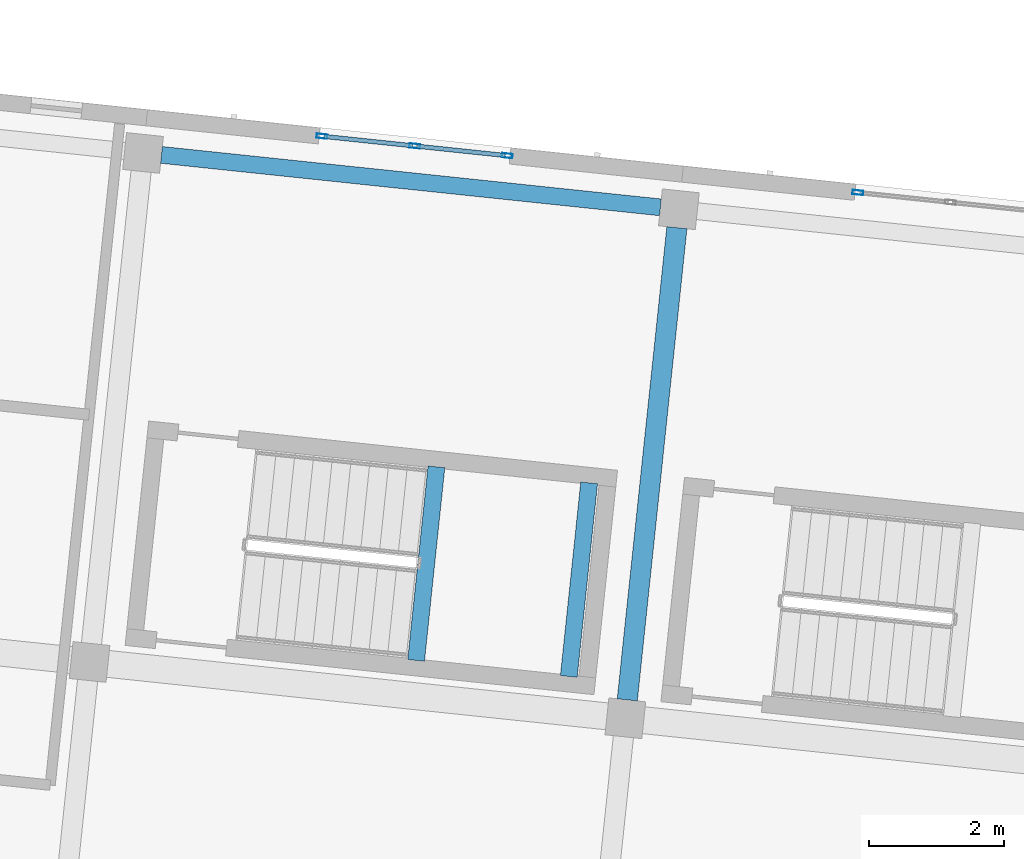
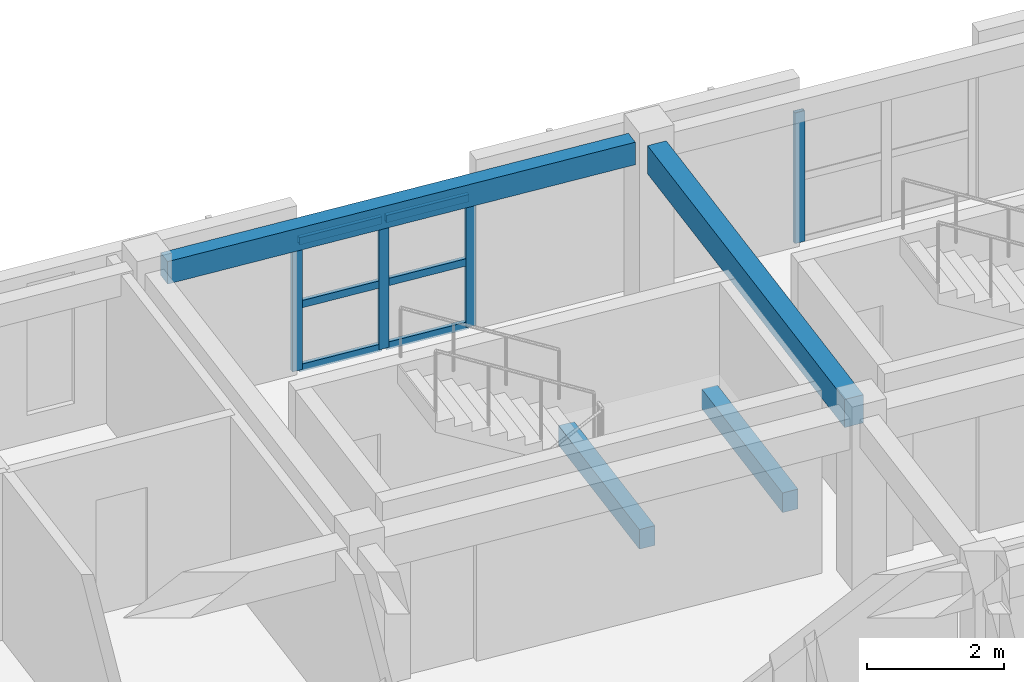
# One storey, part 12 of 65: 10 members, 4 beams, 2 elements without a shape of their own.
"""IFC4 building model written with IfcOpenShell, lengths in metres."""

import ifcopenshell
import ifcopenshell.guid

model = None  # the IFC model being written
_history = None  # IfcOwnerHistory: only IFC2X3 demands one
_inside = {}  # id of a spatial element -> (the spatial element, [elements in it])
_under = {}  # id of a project, library or spatial element -> (it, [spatial elements below it])
_declared = {}  # id of a project -> (the project, [libraries it declares])
_typed = {}  # id of a type object -> (the type object, [elements of that type])
_made_of = {}  # id of a material, layer set ... -> (it, [elements and type objects made of it])


def new_model(schema):
    """Start an empty IFC model of exactly this schema.

    Asked for "IFC4X3", IfcOpenShell would pick the latest addendum, in which some entities
    have other attributes; the version numbers below select the first issue.
    IFC2X3 requires an IfcOwnerHistory on every rooted entity: one is made here for all.
    """
    global model, _history
    if schema == "IFC4X3":
        model = ifcopenshell.file(schema_version=(4, 3, 0, 0))
    else:
        model = ifcopenshell.file(schema=schema)
    _inside.clear()
    _under.clear()
    _declared.clear()
    _typed.clear()
    _made_of.clear()
    _history = None
    if model.schema == "IFC2X3":
        org = make("IfcOrganization", Name="unknown")
        user = make(
            "IfcPersonAndOrganization",
            ThePerson=make("IfcPerson", FamilyName="unknown"),
            TheOrganization=org,
        )
        app = make(
            "IfcApplication",
            ApplicationDeveloper=org,
            Version="unknown",
            ApplicationFullName="unknown",
            ApplicationIdentifier="unknown",
        )
        _history = make(
            "IfcOwnerHistory",
            OwningUser=user,
            OwningApplication=app,
            ChangeAction="ADDED",
            CreationDate=0,
        )
    return model


def make(cls, **values):
    """One entity of the class cls with the attributes given. An attribute that is None is left unset."""
    return model.create_entity(
        cls, **{name: value for name, value in values.items() if value is not None}
    )


def rooted(cls, **values):
    """An entity with a GlobalId (a new one), such as an element, a storey or a relation."""
    return make(cls, GlobalId=ifcopenshell.guid.new(), OwnerHistory=_history, **values)


def si_unit(unit_type, name, prefix=None):
    """IfcSIUnit, for example si_unit("LENGTHUNIT", "METRE", prefix="MILLI")."""
    return make("IfcSIUnit", UnitType=unit_type, Prefix=prefix, Name=name)


def assignment(units):
    """IfcUnitAssignment: the units of a project."""
    return None if units is None else make("IfcUnitAssignment", Units=units)


def point(xyz):
    """IfcCartesianPoint."""
    return None if xyz is None else make("IfcCartesianPoint", Coordinates=xyz)


def direction(xyz):
    """IfcDirection."""
    return None if xyz is None else make("IfcDirection", DirectionRatios=xyz)


def frame(location, z_axis=None, x_axis=None):
    """IfcAxis2Placement3D, a coordinate frame: its origin and axes. An axis left out is left unset."""
    return make(
        "IfcAxis2Placement3D",
        Location=point(location),
        Axis=direction(z_axis),
        RefDirection=direction(x_axis),
    )


def frame_2d(location, x_axis=None):
    """IfcAxis2Placement2D, a coordinate frame in the plane: its origin and x axis."""
    return make(
        "IfcAxis2Placement2D", Location=point(location), RefDirection=direction(x_axis)
    )


def origin():
    """The frame at (0, 0, 0) with its axes left unset."""
    return frame((0.0, 0.0, 0.0))


def origin_2d():
    """The frame at (0, 0) in the plane with its x axis left unset."""
    return frame_2d((0.0, 0.0))


def place(relative_to, where):
    """IfcLocalPlacement: puts the frame where relative to a parent placement (None: the world)."""
    return make(
        "IfcLocalPlacement", PlacementRelTo=relative_to, RelativePlacement=where
    )


def context(
    kind, dimensions, precision=None, world=None, true_north=None, identifier=None
):
    """IfcGeometricRepresentationContext, for example the 3D "Model" context."""
    return make(
        "IfcGeometricRepresentationContext",
        ContextIdentifier=identifier,
        ContextType=kind,
        CoordinateSpaceDimension=dimensions,
        Precision=precision,
        WorldCoordinateSystem=world,
        TrueNorth=true_north,
    )


def subcontext(parent, identifier, kind, view, scale=None):
    """IfcGeometricRepresentationSubContext, for example "Body" below "Model"."""
    return make(
        "IfcGeometricRepresentationSubContext",
        ContextIdentifier=identifier,
        ContextType=kind,
        ParentContext=parent,
        TargetScale=scale,
        TargetView=view,
    )


def project(units=None, contexts=None):
    """IfcProject with its units and contexts."""
    return rooted(
        "IfcProject",
        Name="project",
        RepresentationContexts=contexts,
        UnitsInContext=assignment(units),
    )


def spatial(cls, under=None, at=None, **own):
    """A site, building, storey or space (cls), placed at a placement, below another one or the project."""
    s = rooted(cls, ObjectPlacement=at, **own)
    if under is not None:
        _under.setdefault(under.id(), (under, []))[1].append(s)
    return s


def profile(cls, at=None, kind="AREA", **sizes):
    """A parametric profile (cls). Its sizes go by their IFC names, for example OverallWidth=200.0."""
    return make(cls, ProfileType=kind, Position=at, **sizes)


def rectangle(**sizes):
    """IfcRectangleProfileDef."""
    return profile("IfcRectangleProfileDef", **sizes)


def hollow_rectangle(**sizes):
    """IfcRectangleHollowProfileDef."""
    return profile("IfcRectangleHollowProfileDef", **sizes)


def extrude(swept, where, along, depth):
    """IfcExtrudedAreaSolid: the profile swept, set in the frame where, extruded along a direction by depth."""
    return make(
        "IfcExtrudedAreaSolid",
        SweptArea=swept,
        Position=where,
        ExtrudedDirection=direction(along),
        Depth=depth,
    )


def shape(context_of_items, identifier, shape_type, items):
    """IfcShapeRepresentation: the items that make up one representation, for example the "Body"."""
    return make(
        "IfcShapeRepresentation",
        ContextOfItems=context_of_items,
        RepresentationIdentifier=identifier,
        RepresentationType=shape_type,
        Items=items,
    )


def material(Name=None, Category=None):
    """IfcMaterial."""
    return make("IfcMaterial", Name=Name, Category=Category)


def material_profile(
    of_material, cross_section, Name=None, Category=None, Priority=None
):
    """IfcMaterialProfile: a cross section and its material."""
    return make(
        "IfcMaterialProfile",
        Name=Name,
        Material=of_material,
        Profile=cross_section,
        Priority=Priority,
        Category=Category,
    )


def profile_set(profiles, Name=None, composite=None):
    """IfcMaterialProfileSet."""
    return make(
        "IfcMaterialProfileSet",
        Name=Name,
        MaterialProfiles=profiles,
        CompositeProfile=composite,
    )


def made_of(thing, what):
    """Note that an element or type object is made of a material, layer set ...; save() writes the relation."""
    if what is not None:
        _made_of.setdefault(what.id(), (what, []))[1].append(thing)
    return thing


def type_object(cls, material=None, **own):
    """A type object (cls), such as IfcWallType, which elements share."""
    return made_of(rooted(cls, **own), material)


def element(
    cls,
    number,
    at=None,
    inside=None,
    cuts=None,
    type_object=None,
    material=None,
    context=None,
    identifier="Body",
    shape_type=None,
    held_by="IfcProductDefinitionShape",
    body=None,
    shapes=None,
    **own,
):
    """One element of the class cls, such as IfcWall. Its Tag is "e" and its number.

    at: its placement. inside: the storey or other place that contains it. cuts: it is an
    opening in that element (IfcRelVoidsElement). A single representation is given by context,
    identifier, shape_type and body (its items); several are given by shapes. held_by: the class
    of the entity that holds the representations. save() writes the other relations.
    """
    e = rooted(cls, Tag="e%d" % number, ObjectPlacement=at, **own)
    if body is not None:
        shapes = [shape(context, identifier, shape_type, body)]
    if shapes is not None:
        e.Representation = make(held_by, Representations=shapes)
    if inside is not None:
        _inside.setdefault(inside.id(), (inside, []))[1].append(e)
    if cuts is not None:
        rooted(
            "IfcRelVoidsElement", RelatingBuildingElement=cuts, RelatedOpeningElement=e
        )
    if type_object is not None:
        _typed.setdefault(type_object.id(), (type_object, []))[1].append(e)
    return made_of(e, material)


def aggregate(whole, parts):
    """IfcRelAggregates: a whole, such as a stair, and the parts it consists of."""
    return rooted("IfcRelAggregates", RelatingObject=whole, RelatedObjects=parts)


def save(model, path):
    """Write the relations noted so far, then the file.

    IfcRelAggregates (storeys below a building ...), IfcRelContainedInSpatialStructure (elements
    in a storey), IfcRelDefinesByType, IfcRelAssociatesMaterial and IfcRelDeclares: one each for
    every whole, place, type object, material and project.
    """
    for whole, parts in _under.values():
        aggregate(whole, parts)
    for where, things in _inside.values():
        rooted(
            "IfcRelContainedInSpatialStructure",
            RelatedElements=things,
            RelatingStructure=where,
        )
    for kind, things in _typed.values():
        rooted("IfcRelDefinesByType", RelatedObjects=things, RelatingType=kind)
    for what, things in _made_of.values():
        rooted("IfcRelAssociatesMaterial", RelatedObjects=things, RelatingMaterial=what)
    for by, libraries in _declared.values():
        rooted("IfcRelDeclares", RelatingContext=by, RelatedDefinitions=libraries)
    model.write(path)


model = new_model("IFC4")

# Units and contexts
model_context = context("Model", 3, precision=1e-05, world=origin(), true_north=direction((0.0, 1.0)))
body_context = subcontext(model_context, "Body", "Model", "MODEL_VIEW")
ifc_project = project(units=[si_unit("LENGTHUNIT", "METRE"), si_unit("AREAUNIT", "SQUARE_METRE"), si_unit("VOLUMEUNIT", "CUBIC_METRE"), si_unit("PLANEANGLEUNIT", "RADIAN"), si_unit("MASSUNIT", "GRAM", prefix="KILO")], contexts=[model_context])

# Site, building, storey
site_placement = place(None, origin())
site = spatial("IfcSite", under=ifc_project, at=site_placement, CompositionType="ELEMENT")
building_placement = place(site_placement, origin())
building = spatial("IfcBuilding", under=site, at=building_placement, Name="Kestramere Prow Commons", CompositionType="ELEMENT")
storey_placement = place(building_placement, frame((0.0, 0.0, 21.39990234375)))
storey = spatial("IfcBuildingStorey", under=building, at=storey_placement, Name="L06", CompositionType="ELEMENT", Elevation=21.39990234375)

# Beams
ifc_material_1 = material(Name="Concrete C40/50", Category="concrete")
ifc_material_profile_1 = material_profile(ifc_material_1, rectangle(XDim=0.25, YDim=0.35009765625, at=origin_2d()), Name="PC-BM 250x350")
ifc_profile_set_1 = profile_set([ifc_material_profile_1], Name="Concrete C40/50")
beam_type_1 = type_object("IfcBeamType", Name="BM-ST-TRIM", PredefinedType="BEAM", material=ifc_profile_set_1)
for number, where, z_axis, x_axis, name in (
    (1, (139.971923828125, 104.248779296875, 1.25), (0.104495697268, 0.994525338668, 0.0), (-0.994525338668, 0.104495697268, 0.0), "ST-B1 L06 Landing Trimmer Beam 1A"),
    (2, (142.2392578125, 104.010498046875, 1.25), (0.104579248847, 0.994516556278, 0.0), (-0.994516556278, 0.104579248847, 0.0), "ST-B1 L06 Landing Trimmer Beam 1B"),
):
    element("IfcBeam", number, at=place(storey_placement, frame(where, z_axis=z_axis, x_axis=x_axis)), inside=storey, type_object=beam_type_1, Name=name, PredefinedType="BEAM", context=body_context, shape_type="SweptSolid", body=[
        extrude(rectangle(XDim=0.25, YDim=0.35009765625, at=origin_2d()), origin(), (0.0, 0.0, 1.0), 2.89013671875),
    ])
ifc_material_2 = material(Name="Precast concrete C40/50", Category="concrete")
ifc_material_profile_2 = material_profile(ifc_material_2, rectangle(XDim=0.300048828125, YDim=0.5, at=origin_2d()), Name="PC-BM 300x500")
ifc_profile_set_2 = profile_set([ifc_material_profile_2], Name="Precast concrete C40/50")
beam_type_2 = type_object("IfcBeamType", Name="BM-TIE-01 PC-BM 300x500", PredefinedType="BEAM", material=ifc_profile_set_2)
beam_1_placement = place(storey_placement, frame((143.107666015625, 103.662841796875, 2.75), z_axis=(0.104545981508, 0.994520053971, 0.0), x_axis=(-0.994520053971, 0.104545981508, 0.0)))
element("IfcBeam", 3, at=beam_1_placement, inside=storey, type_object=beam_type_2, Name="Block B L06 Transverse Beam 5-3", PredefinedType="BEAM", context=body_context, shape_type="SweptSolid", body=[
    extrude(rectangle(XDim=0.300048828125, YDim=0.5, at=origin_2d()), origin(), (0.0, 0.0, 1.0), 7.050048828125),
])

# Curtain wall, members
ifc_material_3 = material(Name="Anodised Aluminium and Low-E Glass", Category="aluminium")
curtain_wall_type = type_object("IfcCurtainWallType", Name="CW-03 Glazed Curtain Wall 2830x2320", PredefinedType="USERDEFINED", material=ifc_material_3)
curtain_wall_1_placement = place(storey_placement, origin())
curtain_wall_1 = element("IfcCurtainWall", 4, at=curtain_wall_1_placement, inside=storey, type_object=curtain_wall_type, Name="Block B L06 Stairwell Vertical Glazing 4", ObjectType="GLAZED CURTAIN WALL", PredefinedType="USERDEFINED")
ifc_material_4 = material(Name="Anodised Aluminium 6063-T6", Category="aluminium")
ifc_material_profile_3 = material_profile(ifc_material_4, hollow_rectangle(XDim=0.06494140625, YDim=0.159912109375, WallThickness=0.00390625, at=origin_2d()), Name="ALU-MUL 65x160")
ifc_profile_set_3 = profile_set([ifc_material_profile_3], Name="Anodised Aluminium 6063-T6")
member_type_1 = type_object("IfcMemberType", Name="CW-MUL-65x160", PredefinedType="MULLION", material=ifc_profile_set_3)
member_1_placement = place(storey_placement, frame((138.575439453125, 112.032470703125, 0.0), z_axis=(0.0, 0.0, 1.0), x_axis=(0.104528618845, 0.994521879016, 0.0)))
member_1 = element("IfcMember", 5, at=member_1_placement, type_object=member_type_1, Name="CW-03 mullion 1", PredefinedType="MULLION", context=body_context, shape_type="SweptSolid", body=[
    extrude(hollow_rectangle(XDim=0.06494140625, YDim=0.159912109375, WallThickness=0.00390625, at=origin_2d()), origin(), (0.0, 0.0, 1.0), 2.320068359375),
])
member_2_placement = place(storey_placement, frame((139.9501953125, 111.887939453125, 0.0), z_axis=(0.0, 0.0, 1.0), x_axis=(0.104528618845, 0.994521879016, 0.0)))
member_2 = element("IfcMember", 6, at=member_2_placement, type_object=member_type_1, Name="CW-03 mullion 2", PredefinedType="MULLION", context=body_context, shape_type="SweptSolid", body=[
    extrude(hollow_rectangle(XDim=0.06494140625, YDim=0.159912109375, WallThickness=0.00390625, at=origin_2d()), origin(), (0.0, 0.0, 1.0), 2.320068359375),
])
member_3_placement = place(storey_placement, frame((141.3251953125, 111.743408203125, 0.0), z_axis=(0.0, 0.0, 1.0), x_axis=(0.104528618845, 0.994521879016, 0.0)))
member_3 = element("IfcMember", 7, at=member_3_placement, type_object=member_type_1, Name="CW-03 mullion 3", PredefinedType="MULLION", context=body_context, shape_type="SweptSolid", body=[
    extrude(hollow_rectangle(XDim=0.06494140625, YDim=0.159912109375, WallThickness=0.00390625, at=origin_2d()), origin(), (0.0, 0.0, 1.0), 2.320068359375),
])

# Curtain wall, member
curtain_wall_2_placement = place(storey_placement, origin())
curtain_wall_2 = element("IfcCurtainWall", 8, at=curtain_wall_2_placement, inside=storey, type_object=curtain_wall_type, Name="Block B L06 Stairwell Vertical Glazing 5", ObjectType="GLAZED CURTAIN WALL", PredefinedType="USERDEFINED")
member_4_placement = place(storey_placement, frame((146.531494140625, 111.1962890625, 0.0), z_axis=(0.0, 0.0, 1.0), x_axis=(0.104528269348, 0.99452191575, 0.0)))
member_4 = element("IfcMember", 9, at=member_4_placement, type_object=member_type_1, Name="CW-03 mullion 1", PredefinedType="MULLION", context=body_context, shape_type="SweptSolid", body=[
    extrude(hollow_rectangle(XDim=0.06494140625, YDim=0.159912109375, WallThickness=0.00390625, at=origin_2d()), origin(), (0.0, 0.0, 1.0), 2.320068359375),
])
aggregate(curtain_wall_2, [member_4])

# Member
ifc_material_profile_4 = material_profile(ifc_material_4, hollow_rectangle(XDim=0.06494140625, YDim=0.1298828125, WallThickness=0.00390625, at=origin_2d()), Name="ALU-TRN 65x130")
ifc_profile_set_4 = profile_set([ifc_material_profile_4], Name="Anodised Aluminium 6063-T6")
member_type_2 = type_object("IfcMemberType", Name="CW-TRN-65x130", PredefinedType="USERDEFINED", material=ifc_profile_set_4)
member_5_placement = place(storey_placement, frame((138.607666015625, 112.029052734375, 0.03271484375), z_axis=(0.994523714271, -0.104511156111, 0.0), x_axis=(0.104511156111, 0.994523714271, 0.0)))
member_5 = element("IfcMember", 10, at=member_5_placement, type_object=member_type_2, Name="CW-03 transom 1.1", ObjectType="TRANSOM", PredefinedType="USERDEFINED", context=body_context, shape_type="SweptSolid", body=[
    extrude(hollow_rectangle(XDim=0.06494140625, YDim=0.1298828125, WallThickness=0.00390625, at=origin_2d()), origin(), (0.0, 0.0, 1.0), 1.317626953125),
])

member_6_placement = place(storey_placement, frame((138.607666015625, 112.029052734375, 1.16015625), z_axis=(0.994523714271, -0.104511156111, 0.0), x_axis=(0.104511156111, 0.994523714271, 0.0)))
member_6 = element("IfcMember", 11, at=member_6_placement, type_object=member_type_2, Name="CW-03 transom 1.2", ObjectType="TRANSOM", PredefinedType="USERDEFINED", context=body_context, shape_type="SweptSolid", body=[
    extrude(hollow_rectangle(XDim=0.06494140625, YDim=0.1298828125, WallThickness=0.00390625, at=origin_2d()), origin(), (0.0, 0.0, 1.0), 1.317626953125),
])

member_7_placement = place(storey_placement, frame((138.607666015625, 112.029052734375, 2.28759765625), z_axis=(0.994523714271, -0.104511156111, 0.0), x_axis=(0.104511156111, 0.994523714271, 0.0)))
member_7 = element("IfcMember", 12, at=member_7_placement, type_object=member_type_2, Name="CW-03 transom 1.3", ObjectType="TRANSOM", PredefinedType="USERDEFINED", context=body_context, shape_type="SweptSolid", body=[
    extrude(hollow_rectangle(XDim=0.06494140625, YDim=0.1298828125, WallThickness=0.00390625, at=origin_2d()), origin(), (0.0, 0.0, 1.0), 1.317626953125),
])

member_8_placement = place(storey_placement, frame((139.982666015625, 111.884521484375, 0.03271484375), z_axis=(0.994523714271, -0.104511156111, 0.0), x_axis=(0.104511156111, 0.994523714271, 0.0)))
member_8 = element("IfcMember", 13, at=member_8_placement, type_object=member_type_2, Name="CW-03 transom 2.1", ObjectType="TRANSOM", PredefinedType="USERDEFINED", context=body_context, shape_type="SweptSolid", body=[
    extrude(hollow_rectangle(XDim=0.06494140625, YDim=0.1298828125, WallThickness=0.00390625, at=origin_2d()), origin(), (0.0, 0.0, 1.0), 1.317626953125),
])

member_9_placement = place(storey_placement, frame((139.982666015625, 111.884521484375, 1.16015625), z_axis=(0.994523714271, -0.104511156111, 0.0), x_axis=(0.104511156111, 0.994523714271, 0.0)))
member_9 = element("IfcMember", 14, at=member_9_placement, type_object=member_type_2, Name="CW-03 transom 2.2", ObjectType="TRANSOM", PredefinedType="USERDEFINED", context=body_context, shape_type="SweptSolid", body=[
    extrude(hollow_rectangle(XDim=0.06494140625, YDim=0.1298828125, WallThickness=0.00390625, at=origin_2d()), origin(), (0.0, 0.0, 1.0), 1.317626953125),
])

member_10_placement = place(storey_placement, frame((139.982666015625, 111.884521484375, 2.28759765625), z_axis=(0.994523714271, -0.104511156111, 0.0), x_axis=(0.104511156111, 0.994523714271, 0.0)))
member_10 = element("IfcMember", 15, at=member_10_placement, type_object=member_type_2, Name="CW-03 transom 2.3", ObjectType="TRANSOM", PredefinedType="USERDEFINED", context=body_context, shape_type="SweptSolid", body=[
    extrude(hollow_rectangle(XDim=0.06494140625, YDim=0.1298828125, WallThickness=0.00390625, at=origin_2d()), origin(), (0.0, 0.0, 1.0), 1.317626953125),
])

aggregate(curtain_wall_1, [member_1, member_2, member_3, member_5, member_6, member_7, member_8, member_9, member_10])

# Beam
ifc_material_profile_5 = material_profile(ifc_material_2, rectangle(XDim=0.25, YDim=0.39990234375, at=origin_2d()), Name="PC-SP 250x400")
ifc_profile_set_5 = profile_set([ifc_material_profile_5], Name="Precast concrete C40/50")
beam_type_3 = type_object("IfcBeamType", Name="SP-EXT-01 PC-SP 250x400", PredefinedType="SPANDREL", material=ifc_profile_set_5)
beam_2_placement = place(storey_placement, frame((136.190673828125, 111.755126953125, 2.800048828125), z_axis=(0.994524291149, -0.104505666419, 0.0), x_axis=(0.104505666419, 0.994524291149, 0.0)))
element("IfcBeam", 16, at=beam_2_placement, inside=storey, type_object=beam_type_3, Name="Block B L06 Longitudinal Beam 4-4", PredefinedType="SPANDREL", context=body_context, shape_type="SweptSolid", body=[
    extrude(rectangle(XDim=0.25, YDim=0.39990234375, at=origin_2d()), origin(), (0.0, 0.0, 1.0), 7.449951171875),
])

save(model, "model.ifc")
